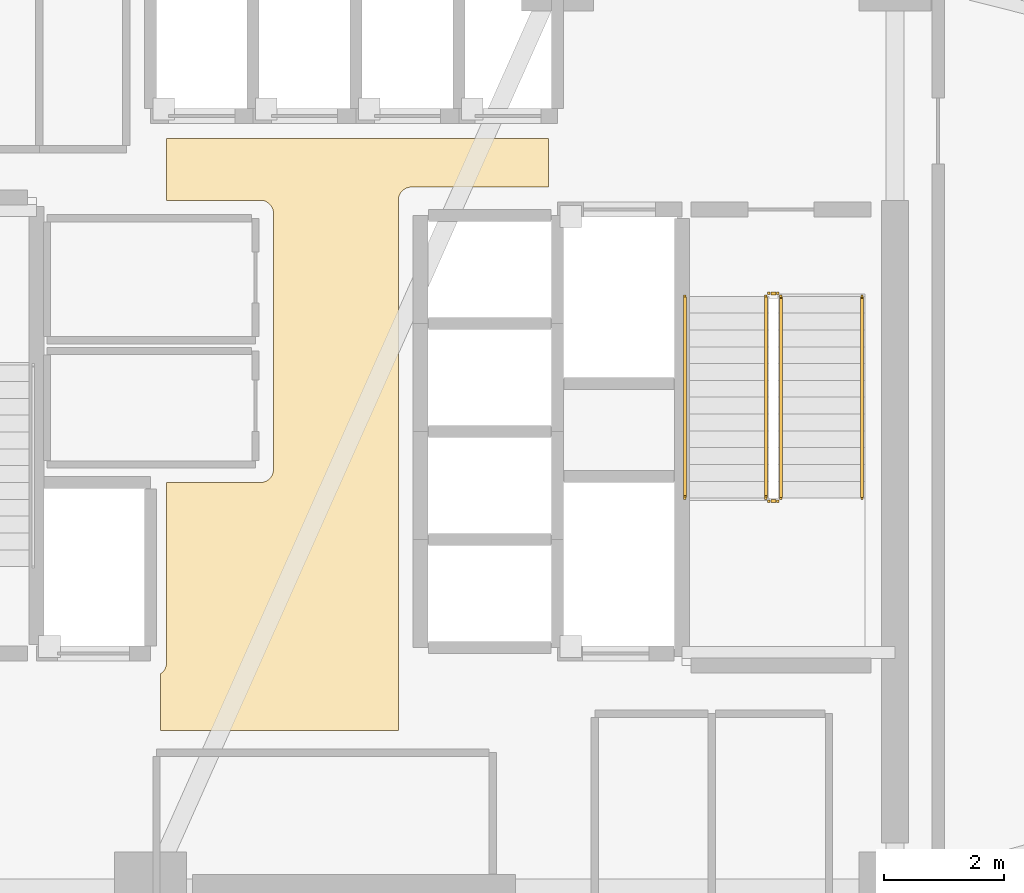
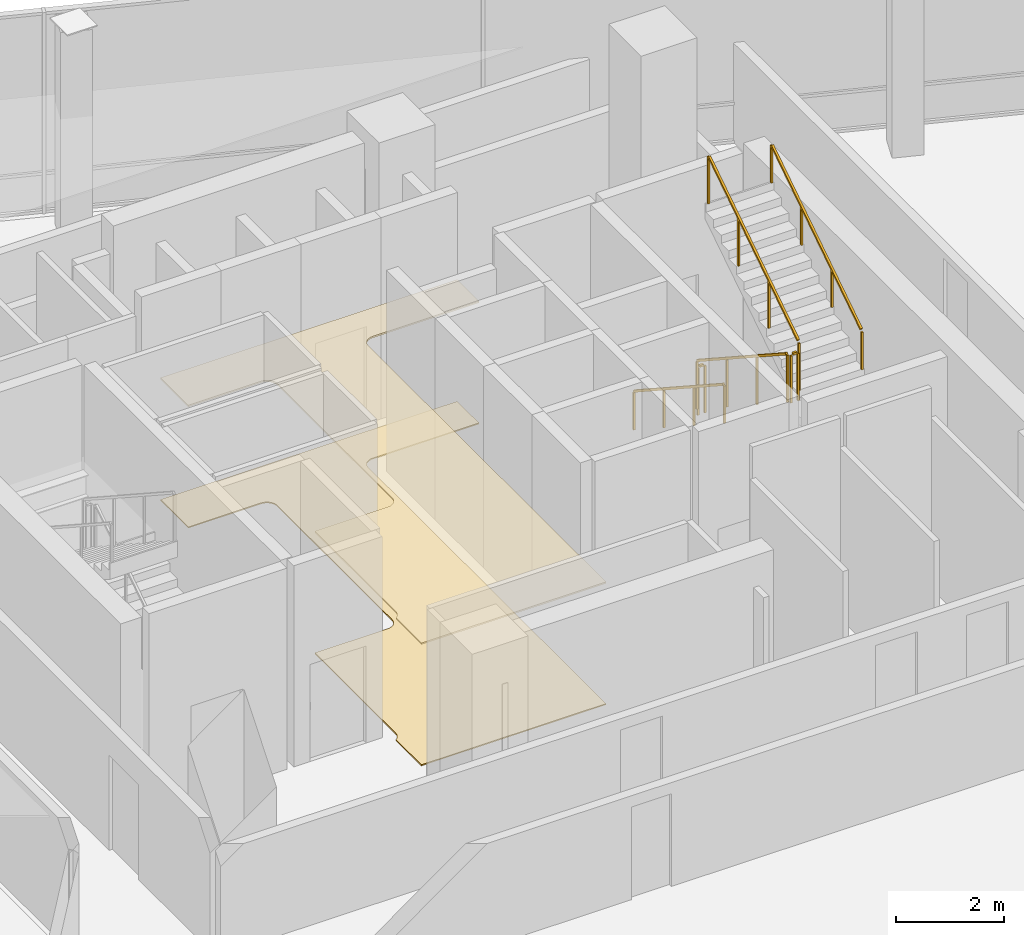
# One storey, part 14 of 15: 6 railings, 2 coverings.
"""IFC4 building model written with IfcOpenShell, lengths in metres."""

from ifc_helpers import new_model, si_unit, direction, frame, origin, origin_2d, place, context, subcontext, project, spatial, polyline, rectangle, outline, extrude, material, layer, layer_set, type_object, element, save


model = new_model("IFC4")

# Units and contexts
model_context = context("Model", 3, precision=1e-05, world=origin(), true_north=direction((0.0, 1.0)))
body_context = subcontext(model_context, "Body", "Model", "MODEL_VIEW")
ifc_project = project(units=[si_unit("LENGTHUNIT", "METRE"), si_unit("AREAUNIT", "SQUARE_METRE"), si_unit("VOLUMEUNIT", "CUBIC_METRE"), si_unit("PLANEANGLEUNIT", "RADIAN"), si_unit("MASSUNIT", "GRAM", prefix="KILO")], contexts=[model_context])

# Site, building, storey
site_placement = place(None, origin())
site = spatial("IfcSite", under=ifc_project, at=site_placement, CompositionType="ELEMENT")
building_placement = place(site_placement, origin())
building = spatial("IfcBuilding", under=site, at=building_placement, Name="Tharavind Bronze Gate", CompositionType="ELEMENT")
storey_placement = place(building_placement, frame((0.0, 0.0, 192.10009765625)))
storey = spatial("IfcBuildingStorey", under=building, at=storey_placement, Name="L49", CompositionType="ELEMENT", Elevation=192.10009765625)

# Coverings
ifc_material_1 = material(Name="Perforated Bronze Acoustic Panel", Category="bronze")
ifc_layer_1 = layer(ifc_material_1, 0.044921875)
ifc_layer_set_1 = layer_set([ifc_layer_1], Name="Perforated Bronze Acoustic Panel")
covering_type_1 = type_object("IfcCoveringType", Name="ACOUSTIC BRONZE BAFFLE CEILING", PredefinedType="CEILING", material=ifc_layer_set_1)
covering_1_placement = place(storey_placement, frame((0.0, 0.0, 2.75)))
element("IfcCovering", 1, at=covering_1_placement, inside=storey, type_object=covering_type_1, Name="L49-C-LL suspended ceiling", PredefinedType="CEILING", context=body_context, shape_type="SweptSolid", body=[
    extrude(outline(polyline([(-3.330078125, -4.97998046875), (0.6298828125, -4.97998046875), (0.6298828125, 3.85009765625), (0.631103515625, 3.87158203125), (0.63427734375, 3.892822265625), (0.639404296875, 3.913818359375), (0.646728515625, 3.93408203125), (0.656005859375, 3.95361328125), (0.6669921875, 3.97216796875), (0.679931640625, 3.989501953125), (0.6943359375, 4.005615234375), (0.71044921875, 4.02001953125), (0.727783203125, 4.032958984375), (0.746337890625, 4.0439453125), (0.765869140625, 4.05322265625), (0.7861328125, 4.060546875), (0.80712890625, 4.06591796875), (0.828369140625, 4.06884765625), (0.85009765625, 4.070068359375), (3.1298828125, 4.070068359375), (3.1298828125, 4.8798828125), (-3.22998046875, 4.8798828125), (-3.22998046875, 3.85009765625), (-1.669921875, 3.85009765625), (-1.6484375, 3.848876953125), (-1.627197265625, 3.845703125), (-1.606201171875, 3.840576171875), (-1.585693359375, 3.833251953125), (-1.56640625, 3.823974609375), (-1.5478515625, 3.81298828125), (-1.530517578125, 3.800048828125), (-1.514404296875, 3.78564453125), (-1.5, 3.76953125), (-1.487060546875, 3.752197265625), (-1.47607421875, 3.733642578125), (-1.466796875, 3.714111328125), (-1.45947265625, 3.69384765625), (-1.4541015625, 3.6728515625), (-1.451171875, 3.651611328125), (-1.449951171875, 3.6298828125), (-1.449951171875, 1.43994140625), (-1.450439453125, 1.429931640625), (-1.449951171875, 1.419921875), (-1.449951171875, -0.6298828125), (-1.451171875, -0.651611328125), (-1.4541015625, -0.6728515625), (-1.45947265625, -0.69384765625), (-1.466796875, -0.714111328125), (-1.47607421875, -0.733642578125), (-1.487060546875, -0.752197265625), (-1.5, -0.76953125), (-1.514404296875, -0.78564453125), (-1.530517578125, -0.800048828125), (-1.5478515625, -0.81298828125), (-1.56640625, -0.823974609375), (-1.585693359375, -0.833251953125), (-1.606201171875, -0.840576171875), (-1.627197265625, -0.845703125), (-1.6484375, -0.848876953125), (-1.669921875, -0.85009765625), (-3.22998046875, -0.85009765625), (-3.22998046875, -3.85009765625), (-3.231201171875, -3.87158203125), (-3.234130859375, -3.892822265625), (-3.239501953125, -3.913818359375), (-3.24658203125, -3.93408203125), (-3.256103515625, -3.95361328125), (-3.26708984375, -3.97216796875), (-3.27978515625, -3.989501953125), (-3.29443359375, -4.005615234375), (-3.310302734375, -4.02001953125), (-3.327880859375, -4.032958984375), (-3.330078125, -4.0341796875), (-3.330078125, -4.97998046875)])), origin(), (0.0, 0.0, 1.0), 0.034912109375),
])
ifc_material_2 = material(Name="Honed Travertine Limestone", Category="masonry")
ifc_layer_2 = layer(ifc_material_2, 0.030029296875)
ifc_layer_set_2 = layer_set([ifc_layer_2], Name="Honed Travertine Limestone")
covering_type_2 = type_object("IfcCoveringType", Name="HONED LIMESTONE FLOORING", PredefinedType="FLOORING", material=ifc_layer_set_2)
covering_2_placement = place(storey_placement, origin())
element("IfcCovering", 2, at=covering_2_placement, inside=storey, type_object=covering_type_2, Name="L49-C-LL floor finish", PredefinedType="FLOORING", context=body_context, shape_type="SweptSolid", body=[
    extrude(outline(polyline([(-3.330078125, -4.97998046875), (0.6298828125, -4.97998046875), (0.6298828125, 3.85009765625), (0.631103515625, 3.87158203125), (0.63427734375, 3.892822265625), (0.639404296875, 3.913818359375), (0.646728515625, 3.93408203125), (0.656005859375, 3.95361328125), (0.6669921875, 3.97216796875), (0.679931640625, 3.989501953125), (0.6943359375, 4.005615234375), (0.71044921875, 4.02001953125), (0.727783203125, 4.032958984375), (0.746337890625, 4.0439453125), (0.765869140625, 4.05322265625), (0.7861328125, 4.060546875), (0.80712890625, 4.06591796875), (0.828369140625, 4.06884765625), (0.85009765625, 4.070068359375), (3.1298828125, 4.070068359375), (3.1298828125, 4.8798828125), (-3.22998046875, 4.8798828125), (-3.22998046875, 3.85009765625), (-1.669921875, 3.85009765625), (-1.6484375, 3.848876953125), (-1.627197265625, 3.845703125), (-1.606201171875, 3.840576171875), (-1.585693359375, 3.833251953125), (-1.56640625, 3.823974609375), (-1.5478515625, 3.81298828125), (-1.530517578125, 3.800048828125), (-1.514404296875, 3.78564453125), (-1.5, 3.76953125), (-1.487060546875, 3.752197265625), (-1.47607421875, 3.733642578125), (-1.466796875, 3.714111328125), (-1.45947265625, 3.69384765625), (-1.4541015625, 3.6728515625), (-1.451171875, 3.651611328125), (-1.449951171875, 3.6298828125), (-1.449951171875, 1.43994140625), (-1.450439453125, 1.429931640625), (-1.449951171875, 1.419921875), (-1.449951171875, -0.6298828125), (-1.451171875, -0.651611328125), (-1.4541015625, -0.6728515625), (-1.45947265625, -0.69384765625), (-1.466796875, -0.714111328125), (-1.47607421875, -0.733642578125), (-1.487060546875, -0.752197265625), (-1.5, -0.76953125), (-1.514404296875, -0.78564453125), (-1.530517578125, -0.800048828125), (-1.5478515625, -0.81298828125), (-1.56640625, -0.823974609375), (-1.585693359375, -0.833251953125), (-1.606201171875, -0.840576171875), (-1.627197265625, -0.845703125), (-1.6484375, -0.848876953125), (-1.669921875, -0.85009765625), (-3.22998046875, -0.85009765625), (-3.22998046875, -3.85009765625), (-3.231201171875, -3.87158203125), (-3.234130859375, -3.892822265625), (-3.239501953125, -3.913818359375), (-3.24658203125, -3.93408203125), (-3.256103515625, -3.95361328125), (-3.26708984375, -3.97216796875), (-3.27978515625, -3.989501953125), (-3.29443359375, -4.005615234375), (-3.310302734375, -4.02001953125), (-3.327880859375, -4.032958984375), (-3.330078125, -4.0341796875), (-3.330078125, -4.97998046875)])), origin(), (0.0, 0.0, 1.0), 0.02490234375),
])

# Railings
ifc_material_3 = material(Name="Brushed Bronze Alloy", Category="metal")
railing_type_1 = type_object("IfcRailingType", Name="STAIR BRONZE HANDRAIL 900", PredefinedType="HANDRAIL", material=ifc_material_3)
railing_1_placement = place(storey_placement, frame((5.39990234375, 2.25, 0.1826171875)))
element("IfcRailing", 3, at=railing_1_placement, inside=storey, type_object=railing_type_1, Name="L49 ST2 stair handrail 1", PredefinedType="HANDRAIL", context=body_context, shape_type="SweptSolid", body=[
    extrude(rectangle(XDim=0.048095703125, YDim=0.048095703125, at=origin_2d()), frame((0.0, -0.02685546875, 0.893310546875), z_axis=(0.0, -0.837495574281, 0.546444107901), x_axis=(1.0, 0.0, 0.0)), (0.0, 0.0, 1.0), 3.947998046875),
    extrude(rectangle(XDim=0.0400390625, YDim=0.0400390625, at=origin_2d()), origin(), (0.0, 0.0, 1.0), 0.847900390625),
    extrude(rectangle(XDim=0.0400390625, YDim=0.0400390625, at=origin_2d()), frame((0.0, -1.1201171875, 0.730712890625)), (0.0, 0.0, 1.0), 0.847900390625),
    extrude(rectangle(XDim=0.0400390625, YDim=0.0400390625, at=origin_2d()), frame((0.0, -2.239990234375, 1.461669921875)), (0.0, 0.0, 1.0), 0.847900390625),
    extrude(rectangle(XDim=0.0400390625, YDim=0.0400390625, at=origin_2d()), frame((0.0, -3.360107421875, 2.1923828125)), (0.0, 0.0, 1.0), 0.847900390625),
])
railing_2_placement = place(storey_placement, frame((8.35009765625, -1.110107421875, 2.5576171875)))
element("IfcRailing", 4, at=railing_2_placement, inside=storey, type_object=railing_type_1, Name="L49 ST2 stair handrail 2", PredefinedType="HANDRAIL", context=body_context, shape_type="SweptSolid", body=[
    extrude(rectangle(XDim=0.048095703125, YDim=0.048095703125, at=origin_2d()), frame((0.0, 0.02685546875, 0.893310546875), z_axis=(0.0, 0.837495574281, 0.546444107901), x_axis=(-1.0, 0.0, 0.0)), (0.0, 0.0, 1.0), 3.947998046875),
    extrude(rectangle(XDim=0.0400390625, YDim=0.0400390625, at=origin_2d()), origin(), (0.0, 0.0, 1.0), 0.847900390625),
    extrude(rectangle(XDim=0.0400390625, YDim=0.0400390625, at=origin_2d()), frame((0.0, 1.1201171875, 0.730712890625)), (0.0, 0.0, 1.0), 0.847900390625),
    extrude(rectangle(XDim=0.0400390625, YDim=0.0400390625, at=origin_2d()), frame((0.0, 2.239990234375, 1.461669921875)), (0.0, 0.0, 1.0), 0.847900390625),
    extrude(rectangle(XDim=0.0400390625, YDim=0.0400390625, at=origin_2d()), frame((0.0, 3.360107421875, 2.1923828125)), (0.0, 0.0, 1.0), 0.847900390625),
])
railing_type_2 = type_object("IfcRailingType", Name="STAIR WELL GUARD RAILING 1120", PredefinedType="GUARDRAIL", material=ifc_material_3)
railing_3_placement = place(storey_placement, frame((6.75, 2.25, 0.1826171875)))
element("IfcRailing", 5, at=railing_3_placement, inside=storey, type_object=railing_type_2, Name="L49 ST2 stair guard 1", PredefinedType="GUARDRAIL", context=body_context, shape_type="SweptSolid", body=[
    extrude(rectangle(XDim=0.048095703125, YDim=0.048095703125, at=origin_2d()), frame((0.0, -0.02685546875, 1.113525390625), z_axis=(0.0, -0.837495574281, 0.546444107901), x_axis=(1.0, 0.0, 0.0)), (0.0, 0.0, 1.0), 3.947998046875),
    extrude(rectangle(XDim=0.0400390625, YDim=0.0400390625, at=origin_2d()), origin(), (0.0, 0.0, 1.0), 1.068115234375),
    extrude(rectangle(XDim=0.0400390625, YDim=0.0400390625, at=origin_2d()), frame((0.0, -1.1201171875, 0.730712890625)), (0.0, 0.0, 1.0), 1.068115234375),
    extrude(rectangle(XDim=0.0400390625, YDim=0.0400390625, at=origin_2d()), frame((0.0, -2.239990234375, 1.461669921875)), (0.0, 0.0, 1.0), 1.068115234375),
    extrude(rectangle(XDim=0.0400390625, YDim=0.0400390625, at=origin_2d()), frame((0.0, -3.360107421875, 2.1923828125)), (0.0, 0.0, 1.0), 1.068115234375),
])
railing_4_placement = place(storey_placement, frame((6.800048828125, -1.159912109375, 2.375)))
element("IfcRailing", 6, at=railing_4_placement, inside=storey, type_object=railing_type_2, Name="L49 ST2 stair guard 2", PredefinedType="GUARDRAIL", context=body_context, shape_type="SweptSolid", body=[
    extrude(rectangle(XDim=0.048095703125, YDim=0.048095703125, at=origin_2d()), frame((0.031982421875, 0.0, 1.09619140625), z_axis=(1.0, 0.0, 0.0), x_axis=(0.0, 1.0, 0.0)), (0.0, 0.0, 1.0), 0.0859375),
    extrude(rectangle(XDim=0.0400390625, YDim=0.0400390625, at=origin_2d()), origin(), (0.0, 0.0, 1.0), 1.068115234375),
    extrude(rectangle(XDim=0.0400390625, YDim=0.0400390625, at=origin_2d()), frame((0.14990234375, 0.0, 0.0)), (0.0, 0.0, 1.0), 1.068115234375),
])
railing_5_placement = place(storey_placement, frame((7.0, -1.110107421875, 2.5576171875)))
element("IfcRailing", 7, at=railing_5_placement, inside=storey, type_object=railing_type_2, Name="L49 ST2 stair guard 3", PredefinedType="GUARDRAIL", context=body_context, shape_type="SweptSolid", body=[
    extrude(rectangle(XDim=0.048095703125, YDim=0.048095703125, at=origin_2d()), frame((0.0, 0.02685546875, 1.113525390625), z_axis=(0.0, 0.837495574281, 0.546444107901), x_axis=(-1.0, 0.0, 0.0)), (0.0, 0.0, 1.0), 3.947998046875),
    extrude(rectangle(XDim=0.0400390625, YDim=0.0400390625, at=origin_2d()), origin(), (0.0, 0.0, 1.0), 1.068115234375),
    extrude(rectangle(XDim=0.0400390625, YDim=0.0400390625, at=origin_2d()), frame((0.0, 1.1201171875, 0.730712890625)), (0.0, 0.0, 1.0), 1.068115234375),
    extrude(rectangle(XDim=0.0400390625, YDim=0.0400390625, at=origin_2d()), frame((0.0, 2.239990234375, 1.461669921875)), (0.0, 0.0, 1.0), 1.068115234375),
    extrude(rectangle(XDim=0.0400390625, YDim=0.0400390625, at=origin_2d()), frame((0.0, 3.360107421875, 2.1923828125)), (0.0, 0.0, 1.0), 1.068115234375),
])
railing_6_placement = place(storey_placement, frame((6.800048828125, 2.300048828125, 0.0)))
element("IfcRailing", 8, at=railing_6_placement, inside=storey, type_object=railing_type_2, Name="L49 ST2 stair guard 4", PredefinedType="GUARDRAIL", context=body_context, shape_type="SweptSolid", body=[
    extrude(rectangle(XDim=0.048095703125, YDim=0.048095703125, at=origin_2d()), frame((0.031982421875, 0.0, 1.09619140625), z_axis=(1.0, 0.0, 0.0), x_axis=(0.0, 1.0, 0.0)), (0.0, 0.0, 1.0), 0.0859375),
    extrude(rectangle(XDim=0.0400390625, YDim=0.0400390625, at=origin_2d()), origin(), (0.0, 0.0, 1.0), 1.068115234375),
    extrude(rectangle(XDim=0.0400390625, YDim=0.0400390625, at=origin_2d()), frame((0.14990234375, 0.0, 0.0)), (0.0, 0.0, 1.0), 1.068115234375),
])

save(model, "model.ifc")
